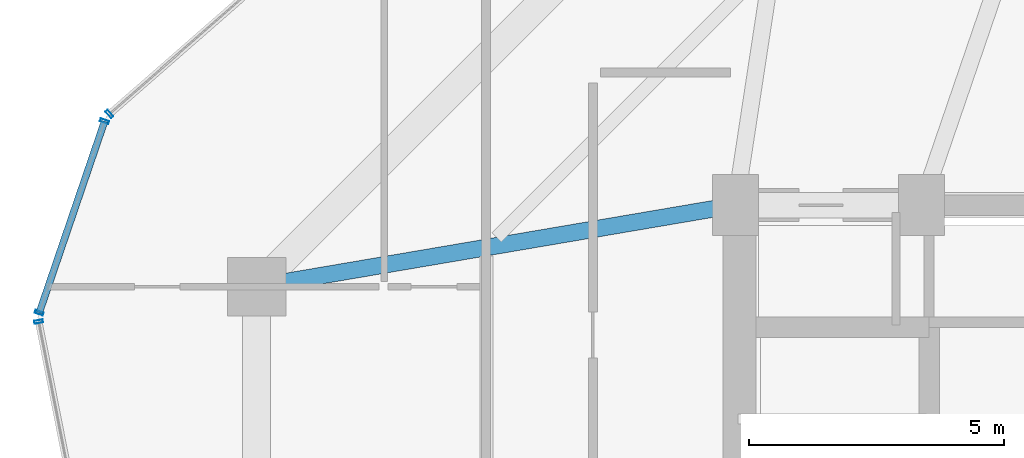
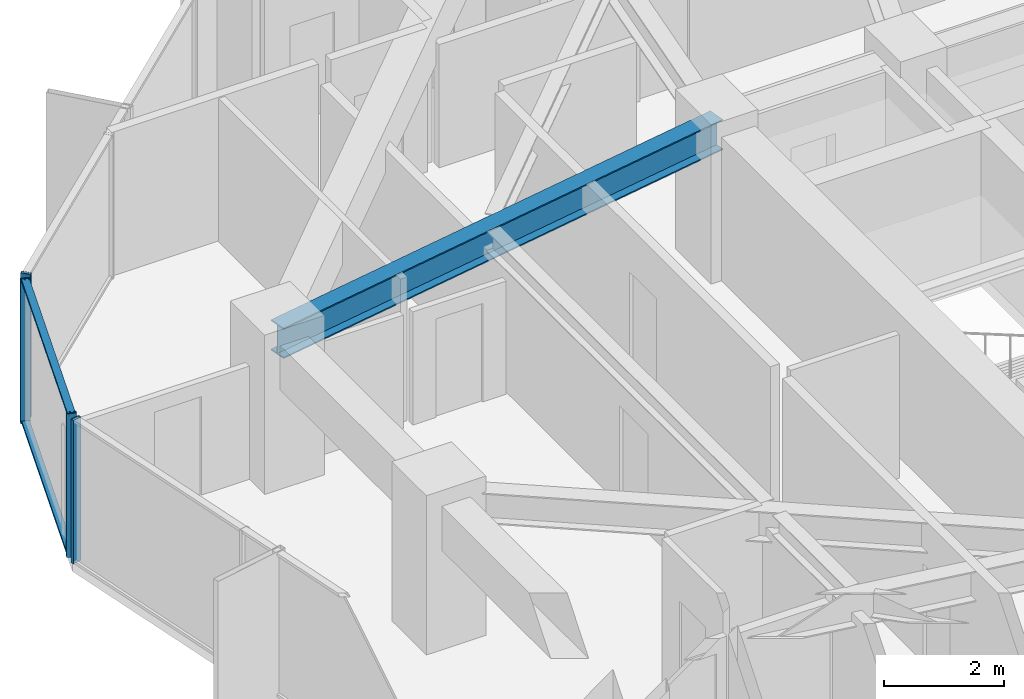
# One storey, part 13 of 36: 6 members, 1 beam, 3 elements without a shape of their own.
"""IFC4 building model written with IfcOpenShell, lengths in metres."""

from ifc_helpers import new_model, si_unit, direction, frame, origin, origin_2d, place, context, subcontext, project, spatial, hollow_rectangle, i_section, extrude, source, transform, mapped, material, layer, layer_set, material_profile, profile_set, type_object, element, aggregate, save


model = new_model("IFC4")

# Units and contexts
model_context = context("Model", 3, precision=1e-05, world=origin(), true_north=direction((0.0, 1.0)))
body_context = subcontext(model_context, "Body", "Model", "MODEL_VIEW")
ifc_project = project(units=[si_unit("LENGTHUNIT", "METRE"), si_unit("AREAUNIT", "SQUARE_METRE"), si_unit("VOLUMEUNIT", "CUBIC_METRE"), si_unit("PLANEANGLEUNIT", "RADIAN"), si_unit("MASSUNIT", "GRAM", prefix="KILO")], contexts=[model_context])

# Site, building, storey
site_placement = place(None, origin())
site = spatial("IfcSite", under=ifc_project, at=site_placement, CompositionType="ELEMENT")
building_placement = place(site_placement, origin())
building = spatial("IfcBuilding", under=site, at=building_placement, Name="Veraguas Prism Commons", CompositionType="ELEMENT")
storey_placement = place(building_placement, frame((0.0, 0.0, 166.300048828125)))
storey = spatial("IfcBuildingStorey", under=building, at=storey_placement, Name="L47", CompositionType="ELEMENT", Elevation=166.300048828125)

# Beam
ifc_material_1 = material(Name="Steel ASTM A992 Grade 50", Category="steel")
ifc_material_profile_1 = material_profile(ifc_material_1, i_section(OverallWidth=0.327880859375, OverallDepth=0.6220703125, WebThickness=0.015380859375, FlangeThickness=0.0244140625, at=origin_2d()), Name="W610X195")
ifc_profile_set_1 = profile_set([ifc_material_profile_1], Name="Steel ASTM A992 Grade 50")
beam_type = type_object("IfcBeamType", Name="Zone 2 Radial Girder W610x195", PredefinedType="BEAM", material=ifc_profile_set_1)
beam_placement = place(storey_placement, frame((7.800048828125, 29.39990234375, 2.618896484375), z_axis=(0.985819187151, 0.1678109956, 0.0), x_axis=(-0.1678109956, 0.985819187151, 0.0)))
element("IfcBeam", 1, at=beam_placement, inside=storey, type_object=beam_type, Name="Radial Floor Girder L47-RD07", PredefinedType="BEAM", context=body_context, shape_type="SweptSolid", body=[
    extrude(i_section(OverallWidth=0.327880859375, OverallDepth=0.6220703125, WebThickness=0.015380859375, FlangeThickness=0.0244140625, at=origin_2d()), origin(), (0.0, 0.0, 1.0), 9.53515625),
])

# Curtain wall, member
ifc_material_2 = material(Name="Anodised aluminium EN AW-6063 T6", Category="aluminium")
ifc_layer = layer(ifc_material_2, 0.169921875, Name="Unitised Flush Curtain Wall Zone 2", Category="aluminium")
ifc_layer_set = layer_set([ifc_layer], Name="Anodised aluminium EN AW-6063 T6")
curtain_wall_type = type_object("IfcCurtainWallType", Name="Unitised Flush Curtain Wall Zone 2", PredefinedType="NOTDEFINED", material=ifc_layer_set)
curtain_wall_1_placement = place(storey_placement, origin())
curtain_wall_1 = element("IfcCurtainWall", 2, at=curtain_wall_1_placement, inside=storey, type_object=curtain_wall_type, Name="Tower Facade Curtain Wall L47-F2", PredefinedType="NOTDEFINED")
ifc_material_profile_2 = material_profile(ifc_material_2, hollow_rectangle(XDim=0.06005859375, YDim=0.169921875, WallThickness=0.00390625, at=origin_2d()), Name="AL60X170X4")
ifc_profile_set_2 = profile_set([ifc_material_profile_2], Name="Anodised aluminium EN AW-6063 T6")
member_type_1 = type_object("IfcMemberType", Name="Curtain Wall Mullion Lower AL 60x170x4", PredefinedType="MULLION", material=ifc_profile_set_2)
shared_shape_1 = source(origin(), body_context, "Body", "SweptSolid", [
    extrude(hollow_rectangle(XDim=0.06005859375, YDim=0.169921875, WallThickness=0.00390625, at=origin_2d()), origin(), (0.0, 0.0, 1.0), 2.929931640625),
])
member_1_placement = place(storey_placement, frame((4.90966796875, 32.790283203125, 0.0), z_axis=(0.0, 0.0, 1.0), x_axis=(-0.752872280062, -0.658166642967, 0.0)))
member_1 = element("IfcMember", 3, at=member_1_placement, type_object=member_type_1, Name="CW-Z2 Mullion 5", PredefinedType="MULLION", context=body_context, shape_type="MappedRepresentation", body=[
    mapped(shared_shape_1, transform((0.0, 0.0, 0.0), scale=1.0)),
])
aggregate(curtain_wall_1, [member_1])

curtain_wall_2_placement = place(storey_placement, origin())
curtain_wall_2 = element("IfcCurtainWall", 4, at=curtain_wall_2_placement, inside=storey, type_object=curtain_wall_type, Name="Tower Facade Curtain Wall L47-F3", PredefinedType="NOTDEFINED")
member_2_placement = place(storey_placement, frame((3.518310546875, 28.712158203125, 0.0), z_axis=(0.0, 0.0, 1.0), x_axis=(0.193549468051, -0.981090517443, 0.0)))
member_2 = element("IfcMember", 5, at=member_2_placement, type_object=member_type_1, Name="CW-Z2 Mullion 1", PredefinedType="MULLION", context=body_context, shape_type="MappedRepresentation", body=[
    mapped(shared_shape_1, transform((0.0, 0.0, 0.0), scale=1.0)),
])
aggregate(curtain_wall_2, [member_2])

# Curtain wall, members
curtain_wall_3_placement = place(storey_placement, origin())
curtain_wall_3 = element("IfcCurtainWall", 6, at=curtain_wall_3_placement, inside=storey, type_object=curtain_wall_type, Name="Chamfer Curtain Wall L47-C3", PredefinedType="NOTDEFINED")
member_3_placement = place(storey_placement, frame((4.81298828125, 32.645751953125, 0.0), z_axis=(0.0, 0.0, 1.0), x_axis=(-0.322929806142, -0.946422918311, 0.0)))
member_3 = element("IfcMember", 7, at=member_3_placement, type_object=member_type_1, Name="CW-Z2 Mullion 1", PredefinedType="MULLION", context=body_context, shape_type="MappedRepresentation", body=[
    mapped(shared_shape_1, transform((0.0, 0.0, 0.0), scale=1.0)),
])
member_4_placement = place(storey_placement, frame((3.52978515625, 28.885498046875, 0.0), z_axis=(0.0, 0.0, 1.0), x_axis=(-0.322929806142, -0.946422918311, 0.0)))
member_4 = element("IfcMember", 8, at=member_4_placement, type_object=member_type_1, Name="CW-Z2 Mullion 2", PredefinedType="MULLION", context=body_context, shape_type="MappedRepresentation", body=[
    mapped(shared_shape_1, transform((0.0, 0.0, 0.0), scale=1.0)),
])
ifc_material_profile_3 = material_profile(ifc_material_2, hollow_rectangle(XDim=0.054931640625, YDim=0.135009765625, WallThickness=0.0029296875, at=origin_2d()), Name="AL55X135X3")
ifc_profile_set_3 = profile_set([ifc_material_profile_3], Name="Anodised aluminium EN AW-6063 T6")
member_type_2 = type_object("IfcMemberType", Name="Curtain Wall Transom Standard AL 55x135x3", PredefinedType="USERDEFINED", material=ifc_profile_set_3)
shared_shape_2 = source(origin(), body_context, "Body", "SweptSolid", [
    extrude(hollow_rectangle(XDim=0.054931640625, YDim=0.135009765625, WallThickness=0.0029296875, at=origin_2d()), origin(), (0.0, 0.0, 1.0), 3.97314453125),
])
member_5_placement = place(storey_placement, frame((4.81298828125, 32.645751953125, 0.02734375), z_axis=(-0.322966675309, -0.946410337348, 0.0), x_axis=(0.0, 0.0, 1.0)))
member_5 = element("IfcMember", 9, at=member_5_placement, type_object=member_type_2, Name="CW-Z2 Transom 1", ObjectType="TRANSOM", PredefinedType="USERDEFINED", context=body_context, shape_type="MappedRepresentation", body=[
    mapped(shared_shape_2, transform((0.0, 0.0, 0.0), scale=1.0)),
])
member_6_placement = place(storey_placement, frame((4.81298828125, 32.645751953125, 2.90234375), z_axis=(-0.322966675309, -0.946410337348, 0.0), x_axis=(0.0, 0.0, 1.0)))
member_6 = element("IfcMember", 10, at=member_6_placement, type_object=member_type_2, Name="CW-Z2 Transom 2", ObjectType="TRANSOM", PredefinedType="USERDEFINED", context=body_context, shape_type="MappedRepresentation", body=[
    mapped(shared_shape_2, transform((0.0, 0.0, 0.0), scale=1.0)),
])
aggregate(curtain_wall_3, [member_3, member_4, member_5, member_6])

save(model, "model.ifc")
